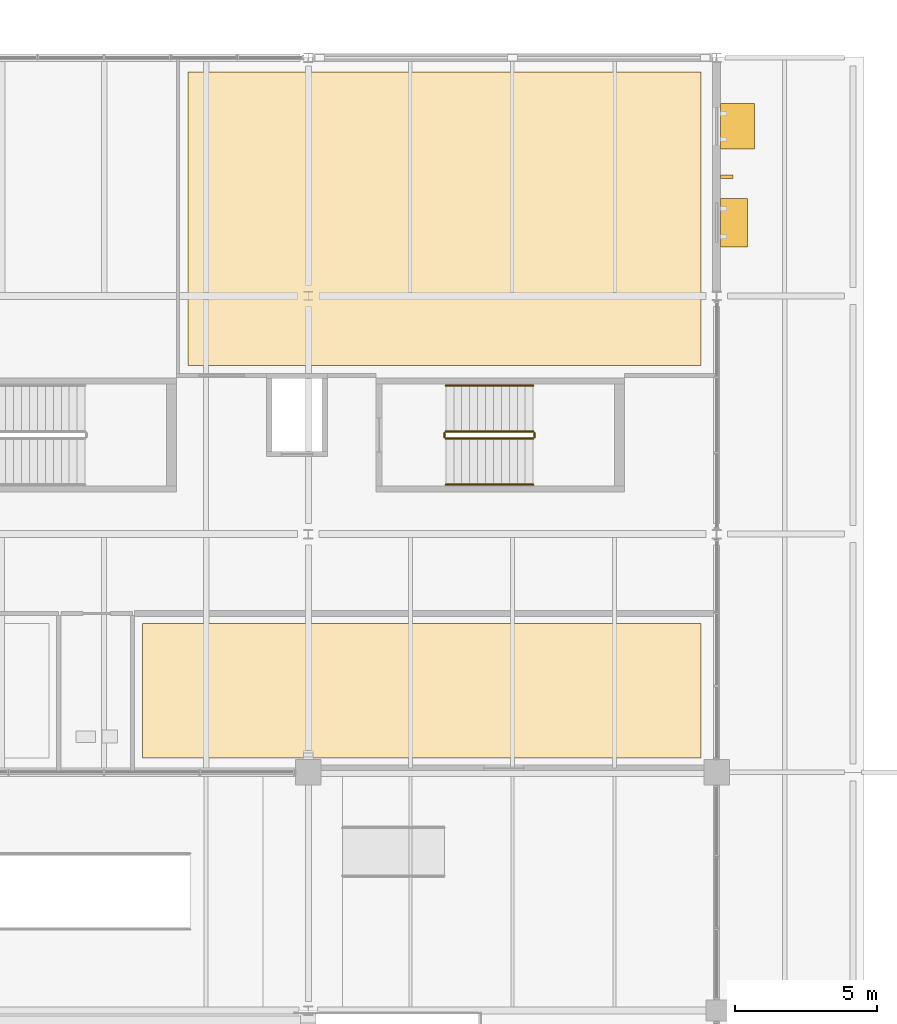
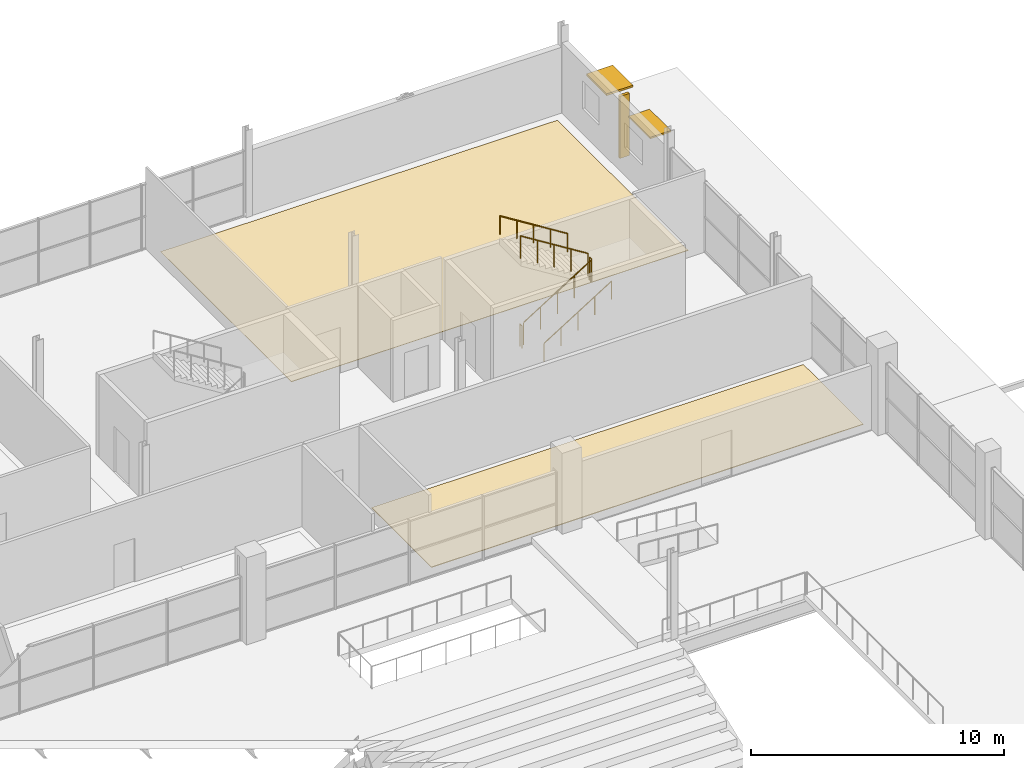
# One storey, part 159 of 161: 6 railings, 3 shading devices, 2 coverings.
"""IFC4 building model written with IfcOpenShell, lengths in metres."""

from ifc_helpers import new_model, si_unit, direction, frame, origin, origin_2d, place, context, subcontext, project, spatial, polyline, rectangle, circle, outline, extrude, material, layer, layer_set, type_object, element, save


model = new_model("IFC4")

# Units and contexts
model_context = context("Model", 3, precision=1e-05, world=origin(), true_north=direction((0.0, 1.0)))
body_context = subcontext(model_context, "Body", "Model", "MODEL_VIEW")
ifc_project = project(units=[si_unit("LENGTHUNIT", "METRE"), si_unit("AREAUNIT", "SQUARE_METRE"), si_unit("VOLUMEUNIT", "CUBIC_METRE"), si_unit("PLANEANGLEUNIT", "RADIAN"), si_unit("MASSUNIT", "GRAM", prefix="KILO"), si_unit("THERMODYNAMICTEMPERATUREUNIT", "KELVIN")], contexts=[model_context])

# Site, building, storey
site_placement = place(None, origin())
site = spatial("IfcSite", under=ifc_project, at=site_placement, CompositionType="ELEMENT")
building_placement = place(site_placement, origin())
building = spatial("IfcBuilding", under=site, at=building_placement, Name="Nduvali Passage Aquatics Centre", CompositionType="ELEMENT")
storey_placement = place(building_placement, frame((0.0, 0.0, 4.800048828125)))
storey = spatial("IfcBuildingStorey", under=building, at=storey_placement, Name="L01", CompositionType="ELEMENT", Elevation=4.800048828125)

# Shading devices
ifc_material_1 = material(Name="Glulam GL28h", Category="wood")
shading_device_type_1 = type_object("IfcShadingDeviceType", Name="ENV-SHD-FIN1", PredefinedType="USERDEFINED", material=ifc_material_1)
shading_device_1_placement = place(storey_placement, frame((126.35498046875, 113.39990234375, 0.199951171875), z_axis=(0.0, 0.0, 1.0), x_axis=(0.0, 1.0, 0.0)))
element("IfcShadingDevice", 1, at=shading_device_1_placement, inside=storey, type_object=shading_device_type_1, Name="L01 Vertical Glulam Facade Fin 0104", ObjectType="VERTICAL FIN", PredefinedType="USERDEFINED", context=body_context, shape_type="SweptSolid", body=[
    extrude(rectangle(XDim=0.1201171875, YDim=0.43994140625, at=origin_2d()), origin(), (0.0, 0.0, 1.0), 2.99658203125),
])
ifc_material_2 = material(Name="Aluminium EN AW-6063 T6", Category="aluminium")
ifc_layer_1 = layer(ifc_material_2, 0.090087890625, Name="Aluminium EN AW-6063 T6")
ifc_layer_set_1 = layer_set([ifc_layer_1], Name="Aluminium EN AW-6063 T6")
shading_device_type_2 = type_object("IfcShadingDeviceType", Name="ENV-SHD-SUN1", PredefinedType="AWNING", material=ifc_layer_set_1)
shading_device_2_placement = place(storey_placement, frame((126.72998046875, 115.17724609375, 2.60498046875), z_axis=(0.0, 0.0, 1.0), x_axis=(0.0, 1.0, 0.0)))
element("IfcShadingDevice", 2, at=shading_device_2_placement, inside=storey, type_object=shading_device_type_2, Name="L01 Horizontal Monsoon Sunshade 0103", PredefinedType="AWNING", context=body_context, shape_type="SweptSolid", body=[
    extrude(rectangle(XDim=1.60009765625, YDim=1.199951171875, at=origin_2d()), origin(), (0.0, 0.0, 1.0), 0.090087890625),
])
ifc_layer_2 = layer(ifc_material_2, 0.080078125, Name="Aluminium EN AW-6063 T6")
ifc_layer_set_2 = layer_set([ifc_layer_2], Name="Aluminium EN AW-6063 T6")
shading_device_type_3 = type_object("IfcShadingDeviceType", Name="ENV-SHD-SUN2", PredefinedType="AWNING", material=ifc_layer_set_2)
shading_device_3_placement = place(storey_placement, frame((126.60498046875, 111.7841796875, 2.60986328125), z_axis=(0.0, 0.0, 1.0), x_axis=(0.0, 1.0, 0.0)))
element("IfcShadingDevice", 3, at=shading_device_3_placement, inside=storey, type_object=shading_device_type_3, Name="L01 Horizontal Monsoon Sunshade 0102", PredefinedType="AWNING", context=body_context, shape_type="SweptSolid", body=[
    extrude(rectangle(XDim=1.699951171875, YDim=0.949951171875, at=origin_2d()), origin(), (0.0, 0.0, 1.0), 0.080078125),
])

# Coverings
ifc_material_3 = material(Name="Resilient sports rubber flooring")
ifc_layer_3 = layer(ifc_material_3, 0.02001953125, Name="Resilient sports rubber flooring")
ifc_layer_set_3 = layer_set([ifc_layer_3], Name="Resilient sports rubber flooring")
covering_type_1 = type_object("IfcCoveringType", Name="INT-COV-SPORT", PredefinedType="FLOORING", material=ifc_layer_set_3)
covering_1_placement = place(storey_placement, origin())
element("IfcCovering", 4, at=covering_1_placement, inside=storey, type_object=covering_type_1, Name="L01 Athletic Recovery Stretch Studio Floor Finish", PredefinedType="FLOORING", context=body_context, shape_type="SweptSolid", body=[
    extrude(outline(polyline([(107.35009765625, 106.75), (125.449951171875, 106.75), (125.449951171875, 117.090087890625), (107.35009765625, 117.090087890625), (107.35009765625, 106.75)])), origin(), (0.0, 0.0, 1.0), 0.02001953125),
])
ifc_material_4 = material(Name="Polished coral-aggregate terrazzo")
ifc_layer_4 = layer(ifc_material_4, 0.030029296875, Name="Polished coral-aggregate terrazzo")
ifc_layer_set_4 = layer_set([ifc_layer_4], Name="Polished coral-aggregate terrazzo")
covering_type_2 = type_object("IfcCoveringType", Name="INT-COV-TERRAZZO", PredefinedType="FLOORING", material=ifc_layer_set_4)
covering_2_placement = place(storey_placement, origin())
element("IfcCovering", 5, at=covering_2_placement, inside=storey, type_object=covering_type_2, Name="L01 Fitness Rigging and Mat Equipment Store Floor Finish", PredefinedType="FLOORING", context=body_context, shape_type="SweptSolid", body=[
    extrude(outline(polyline([(105.75, 92.909912109375), (125.449951171875, 92.909912109375), (125.449951171875, 97.64990234375), (105.75, 97.64990234375), (105.75, 92.909912109375)])), origin(), (0.0, 0.0, 1.0), 0.030029296875),
])

# Railings
ifc_material_5 = material(Name="Stainless steel balustrade", Category="steel")
railing_type_1 = type_object("IfcRailingType", Name="INT-RLG-GRD110", PredefinedType="GUARDRAIL", material=ifc_material_5)
railing_1_placement = place(storey_placement, frame((116.449951171875, 104.169921875, 0.175048828125)))
element("IfcRailing", 6, at=railing_1_placement, inside=storey, type_object=railing_type_1, Name="L01 ST2 stair guard 1", PredefinedType="GUARDRAIL", context=body_context, shape_type="SweptSolid", body=[
    extrude(circle(Radius=0.02392578125, at=origin_2d()), frame((0.0, 0.0, 1.076171875), z_axis=(0.848028513186, 0.0, 0.529950602248), x_axis=(0.0, 1.0, 0.0)), (0.0, 0.0, 1.0), 3.632080078125),
    extrude(circle(Radius=0.02099609375, at=origin_2d()), origin(), (0.0, 0.0, 1.0), 1.052001953125),
    extrude(circle(Radius=0.02099609375, at=origin_2d()), frame((0.77001953125, 0.0, 0.481201171875)), (0.0, 0.0, 1.0), 1.052001953125),
    extrude(circle(Radius=0.02099609375, at=origin_2d()), frame((1.5400390625, 0.0, 0.96240234375)), (0.0, 0.0, 1.0), 1.052001953125),
    extrude(circle(Radius=0.02099609375, at=origin_2d()), frame((2.31005859375, 0.0, 1.443603515625)), (0.0, 0.0, 1.0), 1.052001953125),
    extrude(circle(Radius=0.02099609375, at=origin_2d()), frame((3.080078125, 0.0, 1.9248046875)), (0.0, 0.0, 1.0), 1.052001953125),
])
railing_2_placement = place(storey_placement, frame((119.580078125, 104.219970703125, 2.099853515625)))
element("IfcRailing", 7, at=railing_2_placement, inside=storey, type_object=railing_type_1, Name="L01 ST2 stair guard 2", PredefinedType="GUARDRAIL", context=body_context, shape_type="SweptSolid", body=[
    extrude(circle(Radius=0.02392578125, at=origin_2d()), frame((0.0, 0.0, 1.076171875), z_axis=(0.0, 1.0, 0.0), x_axis=(-1.0, 0.0, 0.0)), (0.0, 0.0, 1.0), 0.150146484375),
    extrude(circle(Radius=0.02099609375, at=origin_2d()), origin(), (0.0, 0.0, 1.0), 1.052001953125),
    extrude(circle(Radius=0.02099609375, at=origin_2d()), frame((0.0, 0.150146484375, 0.0)), (0.0, 0.0, 1.0), 1.052001953125),
])
railing_3_placement = place(storey_placement, frame((119.530029296875, 104.419921875, 2.27490234375)))
element("IfcRailing", 8, at=railing_3_placement, inside=storey, type_object=railing_type_1, Name="L01 ST2 stair guard 3", PredefinedType="GUARDRAIL", context=body_context, shape_type="SweptSolid", body=[
    extrude(circle(Radius=0.02392578125, at=origin_2d()), frame((0.0, 0.0, 1.076171875), z_axis=(-0.847998304005, 0.0, 0.529998940003), x_axis=(0.0, -1.0, 0.0)), (0.0, 0.0, 1.0), 3.632080078125),
    extrude(circle(Radius=0.02099609375, at=origin_2d()), origin(), (0.0, 0.0, 1.0), 1.052001953125),
    extrude(circle(Radius=0.02099609375, at=origin_2d()), frame((-0.77001953125, 0.0, 0.481201171875)), (0.0, 0.0, 1.0), 1.052001953125),
    extrude(circle(Radius=0.02099609375, at=origin_2d()), frame((-1.5400390625, 0.0, 0.96240234375)), (0.0, 0.0, 1.0), 1.052001953125),
    extrude(circle(Radius=0.02099609375, at=origin_2d()), frame((-2.31005859375, 0.0, 1.44384765625)), (0.0, 0.0, 1.0), 1.052001953125),
    extrude(circle(Radius=0.02099609375, at=origin_2d()), frame((-3.080078125, 0.0, 1.925048828125)), (0.0, 0.0, 1.0), 1.052001953125),
])
railing_4_placement = place(storey_placement, frame((116.39990234375, 104.219970703125, 0.0)))
element("IfcRailing", 9, at=railing_4_placement, inside=storey, type_object=railing_type_1, Name="L01 ST2 stair guard 4", PredefinedType="GUARDRAIL", context=body_context, shape_type="SweptSolid", body=[
    extrude(circle(Radius=0.02392578125, at=origin_2d()), frame((0.0, 0.0, 1.076171875), z_axis=(0.0, 1.0, 0.0), x_axis=(-1.0, 0.0, 0.0)), (0.0, 0.0, 1.0), 0.150146484375),
    extrude(circle(Radius=0.02099609375, at=origin_2d()), origin(), (0.0, 0.0, 1.0), 1.052001953125),
    extrude(circle(Radius=0.02099609375, at=origin_2d()), frame((0.0, 0.150146484375, 0.0)), (0.0, 0.0, 1.0), 1.052001953125),
])
railing_type_2 = type_object("IfcRailingType", Name="INT-RLG-HND90", PredefinedType="HANDRAIL", material=ifc_material_5)
railing_5_placement = place(storey_placement, frame((116.449951171875, 102.550048828125, 0.353515625)))
element("IfcRailing", 10, at=railing_5_placement, inside=storey, type_object=railing_type_2, Name="L01 ST2 stair handrail 1", PredefinedType="HANDRAIL", context=body_context, shape_type="SweptSolid", body=[
    extrude(circle(Radius=0.02392578125, at=origin_2d()), frame((0.0, 0.0, 0.8759765625), z_axis=(0.847998304005, 0.0, 0.529998940003), x_axis=(0.0, 1.0, 0.0)), (0.0, 0.0, 1.0), 3.632080078125),
    extrude(circle(Radius=0.02099609375, at=origin_2d()), origin(), (0.0, 0.0, 1.0), 0.851806640625),
    extrude(circle(Radius=0.02099609375, at=origin_2d()), frame((0.77001953125, 0.0, 0.481201171875)), (0.0, 0.0, 1.0), 0.851806640625),
    extrude(circle(Radius=0.02099609375, at=origin_2d()), frame((1.5400390625, 0.0, 0.96240234375)), (0.0, 0.0, 1.0), 0.851806640625),
    extrude(circle(Radius=0.02099609375, at=origin_2d()), frame((2.31005859375, 0.0, 1.44384765625)), (0.0, 0.0, 1.0), 0.851806640625),
    extrude(circle(Radius=0.02099609375, at=origin_2d()), frame((3.080078125, 0.0, 1.925048828125)), (0.0, 0.0, 1.0), 0.851806640625),
])
railing_6_placement = place(storey_placement, frame((119.530029296875, 106.0400390625, 2.45361328125)))
element("IfcRailing", 11, at=railing_6_placement, inside=storey, type_object=railing_type_2, Name="L01 ST2 stair handrail 2", PredefinedType="HANDRAIL", context=body_context, shape_type="SweptSolid", body=[
    extrude(circle(Radius=0.02392578125, at=origin_2d()), frame((0.0, 0.0, 0.8759765625), z_axis=(-0.847998304005, 0.0, 0.529998940003), x_axis=(0.0, -1.0, 0.0)), (0.0, 0.0, 1.0), 3.632080078125),
    extrude(circle(Radius=0.02099609375, at=origin_2d()), origin(), (0.0, 0.0, 1.0), 0.851806640625),
    extrude(circle(Radius=0.02099609375, at=origin_2d()), frame((-0.77001953125, 0.0, 0.481201171875)), (0.0, 0.0, 1.0), 0.851806640625),
    extrude(circle(Radius=0.02099609375, at=origin_2d()), frame((-1.5400390625, 0.0, 0.96240234375)), (0.0, 0.0, 1.0), 0.851806640625),
    extrude(circle(Radius=0.02099609375, at=origin_2d()), frame((-2.31005859375, 0.0, 1.44384765625)), (0.0, 0.0, 1.0), 0.851806640625),
    extrude(circle(Radius=0.02099609375, at=origin_2d()), frame((-3.080078125, 0.0, 1.925048828125)), (0.0, 0.0, 1.0), 0.851806640625),
])

save(model, "model.ifc")
